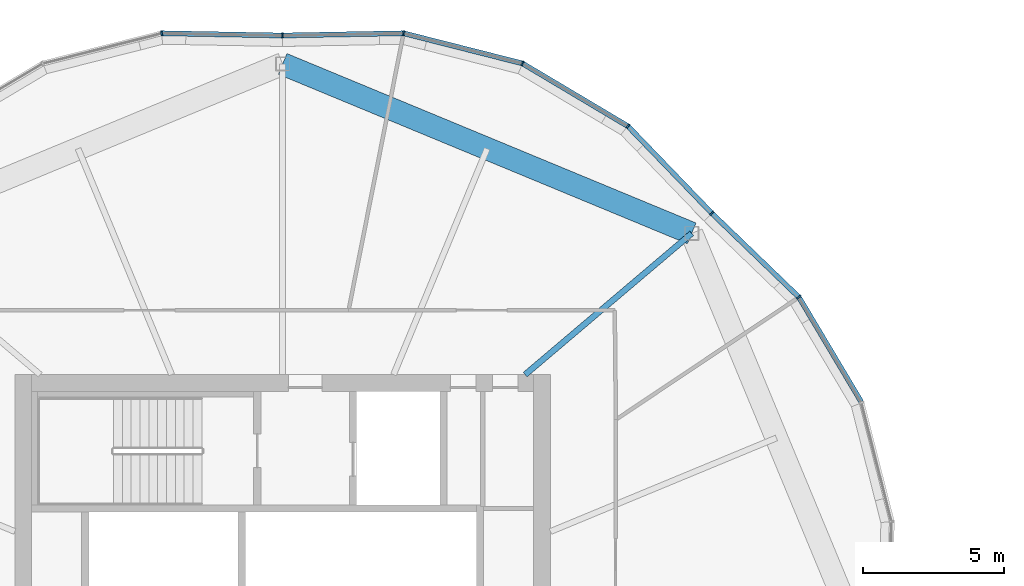
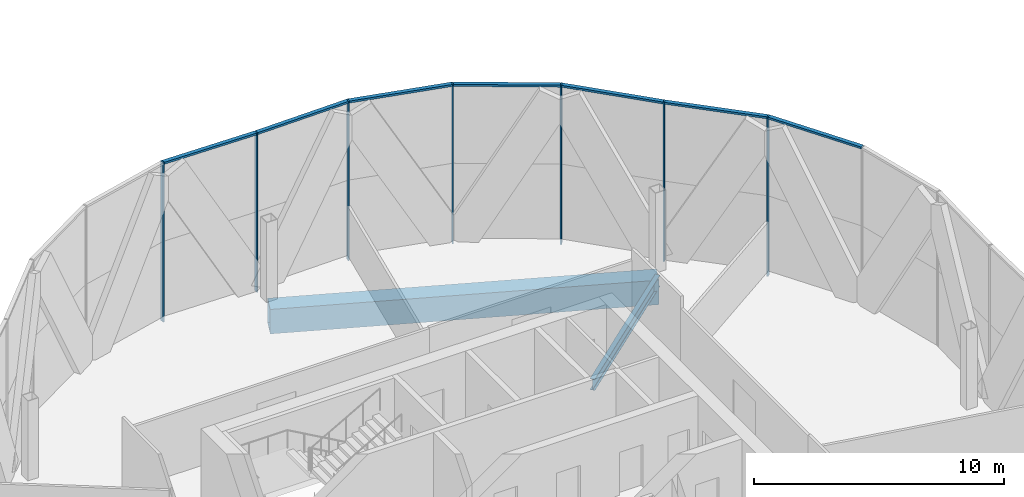
# One storey, part 9 of 27: 14 members, 2 beams, 3 elements without a shape of their own.
"""IFC4 building model written with IfcOpenShell, lengths in metres."""

from ifc_helpers import new_model, si_unit, direction, frame, origin, origin_2d, place, context, subcontext, project, spatial, rectangle, hollow_rectangle, i_section, extrude, material, material_profile, profile_set, type_object, element, aggregate, save


model = new_model("IFC4")

# Units and contexts
model_context = context("Model", 3, precision=1e-05, world=origin(), true_north=direction((0.0, 1.0)))
body_context = subcontext(model_context, "Body", "Model", "MODEL_VIEW")
ifc_project = project(units=[si_unit("LENGTHUNIT", "METRE"), si_unit("AREAUNIT", "SQUARE_METRE"), si_unit("VOLUMEUNIT", "CUBIC_METRE"), si_unit("PLANEANGLEUNIT", "RADIAN"), si_unit("MASSUNIT", "GRAM", prefix="KILO")], contexts=[model_context])

# Site, building, storey
site_placement = place(None, origin())
site = spatial("IfcSite", under=ifc_project, at=site_placement, CompositionType="ELEMENT")
building_placement = place(site_placement, origin())
building = spatial("IfcBuilding", under=site, at=building_placement, Name="Ogive Gate Towers", CompositionType="ELEMENT")
storey_placement = place(building_placement, frame((0.0, 0.0, 189.0)))
storey = spatial("IfcBuildingStorey", under=building, at=storey_placement, Name="L45", CompositionType="ELEMENT", Elevation=189.0)

# Beams
ifc_material_1 = material(Name="Steel SM460", Category="steel")
ifc_material_profile_1 = material_profile(ifc_material_1, hollow_rectangle(XDim=0.800048828125, YDim=1.199951171875, WallThickness=0.050048828125, at=origin_2d()), Name="BX 1200x800x50")
ifc_profile_set_1 = profile_set([ifc_material_profile_1], Name="Steel SM460")
beam_type_1 = type_object("IfcBeamType", Name="Edge girder BX 1200x800x50", PredefinedType="BEAM", material=ifc_profile_set_1)
beam_1_placement = place(storey_placement, frame((-21.490234375, 14.509765625, -0.89990234375), z_axis=(-0.923877006731, 0.38268953008, 0.0), x_axis=(-0.38268953008, -0.923877006731, 0.0)))
element("IfcBeam", 1, at=beam_1_placement, inside=storey, type_object=beam_type_1, Name="T1/L45/SBM021", PredefinedType="BEAM", context=body_context, shape_type="SweptSolid", body=[
    extrude(hollow_rectangle(XDim=0.800048828125, YDim=1.199951171875, WallThickness=0.050048828125, at=origin_2d()), origin(), (0.0, 0.0, 1.0), 15.705322265625),
])
ifc_material_2 = material(Name="Steel SM355", Category="steel")
ifc_material_profile_2 = material_profile(ifc_material_2, i_section(OverallWidth=0.2099609375, OverallDepth=0.550048828125, WebThickness=0.010986328125, FlangeThickness=0.01708984375, FilletRadius=0.02392578125, at=origin_2d()), Name="IPE 550")
ifc_profile_set_2 = profile_set([ifc_material_profile_2], Name="Steel SM355")
beam_type_2 = type_object("IfcBeamType", Name="Radial floor beam IPE 550", PredefinedType="BEAM", material=ifc_profile_set_2)
beam_2_placement = place(storey_placement, frame((-27.39990234375, 9.5, -0.574951171875), z_axis=(0.762795484328, 0.64663981403, 0.0), x_axis=(-0.64663981403, 0.762795484328, 0.0)))
element("IfcBeam", 2, at=beam_2_placement, inside=storey, type_object=beam_type_2, Name="T1/L45/SBM009", PredefinedType="BEAM", context=body_context, shape_type="SweptSolid", body=[
    extrude(i_section(OverallWidth=0.2099609375, OverallDepth=0.550048828125, WebThickness=0.010986328125, FlangeThickness=0.01708984375, FilletRadius=0.02392578125, at=origin_2d()), origin(), (0.0, 0.0, 1.0), 7.747314453125),
])

# Curtain wall, members
ifc_material_3 = material(Name="Pale metal aluminium", Category="aluminium")
curtain_wall_type = type_object("IfcCurtainWallType", Name="Tower unitised wall, high zone", PredefinedType="NOTDEFINED", material=ifc_material_3)
curtain_wall_1_placement = place(storey_placement, origin())
curtain_wall_1 = element("IfcCurtainWall", 3, at=curtain_wall_1_placement, inside=storey, type_object=curtain_wall_type, Name="CW2 T1 ECW04", PredefinedType="NOTDEFINED")
ifc_material_profile_3 = material_profile(ifc_material_3, rectangle(XDim=0.179931640625, YDim=0.06005859375, at=origin_2d()), Name="60 x 180 aluminium box")
ifc_profile_set_3 = profile_set([ifc_material_profile_3], Name="Pale metal aluminium")
member_type_1 = type_object("IfcMemberType", Name="Tower unitised wall, high zone mullion 60 x 180", PredefinedType="MULLION", material=ifc_profile_set_3)
member_1_placement = place(storey_placement, frame((-20.776123046875, 15.22412109375, -0.300048828125), z_axis=(0.0, 0.0, 1.0), x_axis=(-0.693942400491, -0.720030516576, 0.0)))
member_1 = element("IfcMember", 4, at=member_1_placement, type_object=member_type_1, Name="CW2 mullion", PredefinedType="MULLION", context=body_context, shape_type="SweptSolid", body=[
    extrude(rectangle(XDim=0.179931640625, YDim=0.06005859375, at=origin_2d()), origin(), (0.0, 0.0, 1.0), 7.800048828125),
])
member_2_placement = place(storey_placement, frame((-17.687255859375, 12.2470703125, -0.300048828125), z_axis=(0.0, 0.0, 1.0), x_axis=(-0.783574191071, -0.621298227173, 0.0)))
member_2 = element("IfcMember", 5, at=member_2_placement, type_object=member_type_1, Name="CW2 mullion", PredefinedType="MULLION", context=body_context, shape_type="SweptSolid", body=[
    extrude(rectangle(XDim=0.179931640625, YDim=0.06005859375, at=origin_2d()), origin(), (0.0, 0.0, 1.0), 7.800048828125),
])

curtain_wall_2_placement = place(storey_placement, origin())
curtain_wall_2 = element("IfcCurtainWall", 6, at=curtain_wall_2_placement, inside=storey, type_object=curtain_wall_type, Name="CW2 T1 ECW05", PredefinedType="NOTDEFINED")
member_3_placement = place(storey_placement, frame((-36.000244140625, 21.530029296875, -0.300048828125), z_axis=(0.0, 0.0, 1.0), x_axis=(0.018412183135, -0.999830481388, 0.0)))
member_3 = element("IfcMember", 7, at=member_3_placement, type_object=member_type_1, Name="CW2 mullion", PredefinedType="MULLION", context=body_context, shape_type="SweptSolid", body=[
    extrude(rectangle(XDim=0.179931640625, YDim=0.06005859375, at=origin_2d()), origin(), (0.0, 0.0, 1.0), 7.800048828125),
])
member_4_placement = place(storey_placement, frame((-31.7109375, 21.60888671875, -0.300048828125), z_axis=(0.0, 0.0, 1.0), x_axis=(-0.114746434496, -0.993394813642, 0.0)))
member_4 = element("IfcMember", 8, at=member_4_placement, type_object=member_type_1, Name="CW2 mullion", PredefinedType="MULLION", context=body_context, shape_type="SweptSolid", body=[
    extrude(rectangle(XDim=0.179931640625, YDim=0.06005859375, at=origin_2d()), origin(), (0.0, 0.0, 1.0), 7.800048828125),
])
member_5_placement = place(storey_placement, frame((-27.49267578125, 20.538818359375, -0.300048828125), z_axis=(0.0, 0.0, 1.0), x_axis=(-0.382683432365, -0.923879532511, 0.0)))
member_5 = element("IfcMember", 9, at=member_5_placement, type_object=member_type_1, Name="CW2 mullion", PredefinedType="MULLION", context=body_context, shape_type="SweptSolid", body=[
    extrude(rectangle(XDim=0.179931640625, YDim=0.06005859375, at=origin_2d()), origin(), (0.0, 0.0, 1.0), 7.800048828125),
])
member_6_placement = place(storey_placement, frame((-23.7529296875, 18.312744140625, -0.300048828125), z_axis=(0.0, 0.0, 1.0), x_axis=(-0.621298227173, -0.783574191071, 0.0)))
member_6 = element("IfcMember", 10, at=member_6_placement, type_object=member_type_1, Name="CW2 mullion", PredefinedType="MULLION", context=body_context, shape_type="SweptSolid", body=[
    extrude(rectangle(XDim=0.179931640625, YDim=0.06005859375, at=origin_2d()), origin(), (0.0, 0.0, 1.0), 7.800048828125),
])

# Curtain wall, member
curtain_wall_3_placement = place(storey_placement, origin())
curtain_wall_3 = element("IfcCurtainWall", 11, at=curtain_wall_3_placement, inside=storey, type_object=curtain_wall_type, Name="CW2 T1 ECW06", PredefinedType="NOTDEFINED")
member_7_placement = place(storey_placement, frame((-40.2890625, 21.60888671875, -0.300048828125), z_axis=(0.0, 0.0, 1.0), x_axis=(0.114746434496, -0.993394813642, 0.0)))
member_7 = element("IfcMember", 12, at=member_7_placement, type_object=member_type_1, Name="CW2 mullion", PredefinedType="MULLION", context=body_context, shape_type="SweptSolid", body=[
    extrude(rectangle(XDim=0.179931640625, YDim=0.06005859375, at=origin_2d()), origin(), (0.0, 0.0, 1.0), 7.800048828125),
])

# Member
ifc_material_profile_4 = material_profile(ifc_material_3, rectangle(XDim=0.179931640625, YDim=0.10009765625, at=origin_2d()), Name="100 x 180 aluminium box")
ifc_profile_set_4 = profile_set([ifc_material_profile_4], Name="Pale metal aluminium")
member_type_2 = type_object("IfcMemberType", Name="Tower unitised wall, high zone transom 100 x 180", PredefinedType="USERDEFINED", material=ifc_profile_set_4)
member_8_placement = place(storey_placement, frame((-20.754638671875, 15.203369140625, 7.449951171875), z_axis=(0.720033834147, -0.693938958182, 0.0), x_axis=(0.693938958182, 0.720033834147, 0.0)))
member_8 = element("IfcMember", 13, at=member_8_placement, type_object=member_type_2, Name="CW2 transom", ObjectType="TRANSOM", PredefinedType="USERDEFINED", context=body_context, shape_type="SweptSolid", body=[
    extrude(rectangle(XDim=0.179931640625, YDim=0.10009765625, at=origin_2d()), origin(), (0.0, 0.0, 1.0), 4.228759765625),
])

member_9_placement = place(storey_placement, frame((-17.671142578125, 12.22021484375, 7.449951171875), z_axis=(0.511470851097, -0.859300627533, 0.0), x_axis=(0.859300627533, 0.511470851097, 0.0)))
member_9 = element("IfcMember", 14, at=member_9_placement, type_object=member_type_2, Name="CW2 transom", ObjectType="TRANSOM", PredefinedType="USERDEFINED", context=body_context, shape_type="SweptSolid", body=[
    extrude(rectangle(XDim=0.179931640625, YDim=0.10009765625, at=origin_2d()), origin(), (0.0, 0.0, 1.0), 4.289306640625),
])

aggregate(curtain_wall_1, [member_1, member_2, member_8, member_9])

member_10_placement = place(storey_placement, frame((-35.97021484375, 21.530517578125, 7.449951171875), z_axis=(0.999830392365, 0.018417016697, 0.0), x_axis=(-0.018417016697, 0.999830392365, 0.0)))
member_10 = element("IfcMember", 15, at=member_10_placement, type_object=member_type_2, Name="CW2 transom", ObjectType="TRANSOM", PredefinedType="USERDEFINED", context=body_context, shape_type="SweptSolid", body=[
    extrude(rectangle(XDim=0.179931640625, YDim=0.10009765625, at=origin_2d()), origin(), (0.0, 0.0, 1.0), 4.228759765625),
])

member_11_placement = place(storey_placement, frame((-31.680419921875, 21.601318359375, 7.449951171875), z_axis=(0.969296263993, -0.245895816575, 0.0), x_axis=(0.245895816575, 0.969296263993, 0.0)))
member_11 = element("IfcMember", 16, at=member_11_placement, type_object=member_type_2, Name="CW2 transom", ObjectType="TRANSOM", PredefinedType="USERDEFINED", context=body_context, shape_type="SweptSolid", body=[
    extrude(rectangle(XDim=0.179931640625, YDim=0.10009765625, at=origin_2d()), origin(), (0.0, 0.0, 1.0), 4.2890625),
])

member_12_placement = place(storey_placement, frame((-27.465576171875, 20.522705078125, 7.449951171875), z_axis=(0.859300627533, -0.511470851097, 0.0), x_axis=(0.511470851097, 0.859300627533, 0.0)))
member_12 = element("IfcMember", 17, at=member_12_placement, type_object=member_type_2, Name="CW2 transom", ObjectType="TRANSOM", PredefinedType="USERDEFINED", context=body_context, shape_type="SweptSolid", body=[
    extrude(rectangle(XDim=0.179931640625, YDim=0.10009765625, at=origin_2d()), origin(), (0.0, 0.0, 1.0), 4.289306640625),
])

member_13_placement = place(storey_placement, frame((-23.731201171875, 18.290283203125, 7.449951171875), z_axis=(0.693938958182, -0.720033834147, 0.0), x_axis=(0.720033834147, 0.693938958182, 0.0)))
member_13 = element("IfcMember", 18, at=member_13_placement, type_object=member_type_2, Name="CW2 transom", ObjectType="TRANSOM", PredefinedType="USERDEFINED", context=body_context, shape_type="SweptSolid", body=[
    extrude(rectangle(XDim=0.179931640625, YDim=0.10009765625, at=origin_2d()), origin(), (0.0, 0.0, 1.0), 4.228759765625),
])

aggregate(curtain_wall_2, [member_3, member_4, member_10, member_5, member_11, member_6, member_12, member_13])

member_14_placement = place(storey_placement, frame((-40.2578125, 21.6083984375, 7.449951171875), z_axis=(0.999830392365, -0.018417016697, 0.0), x_axis=(0.018417016697, 0.999830392365, 0.0)))
member_14 = element("IfcMember", 19, at=member_14_placement, type_object=member_type_2, Name="CW2 transom", ObjectType="TRANSOM", PredefinedType="USERDEFINED", context=body_context, shape_type="SweptSolid", body=[
    extrude(rectangle(XDim=0.179931640625, YDim=0.10009765625, at=origin_2d()), origin(), (0.0, 0.0, 1.0), 4.228759765625),
])

aggregate(curtain_wall_3, [member_7, member_14])

save(model, "model.ifc")
